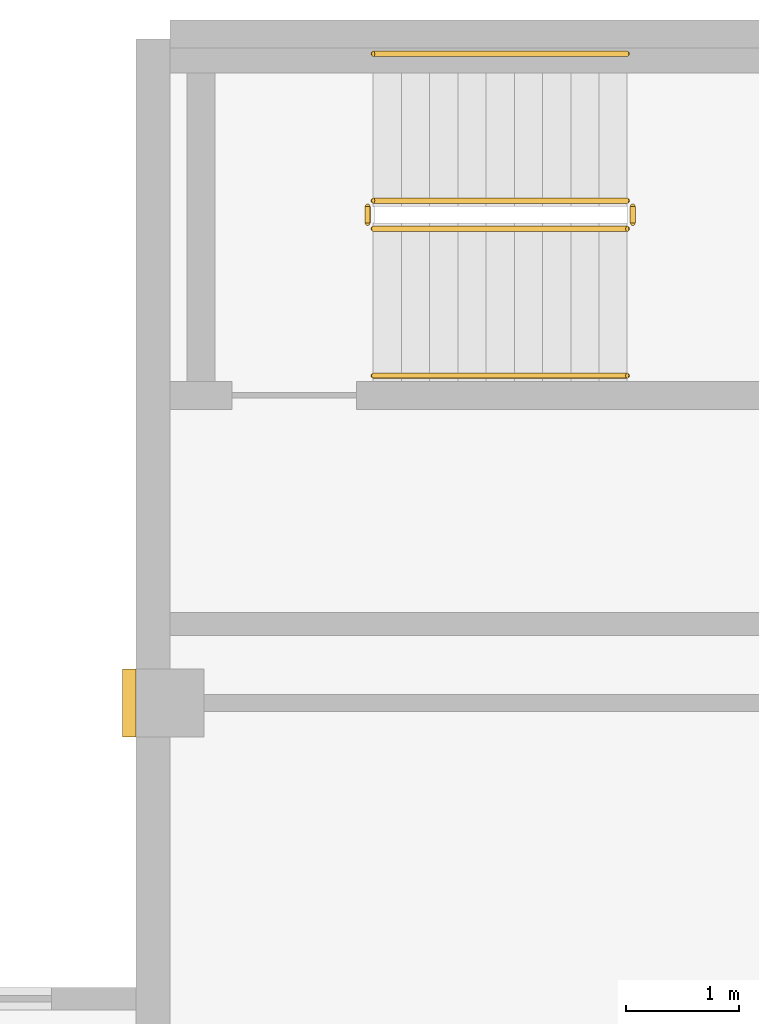
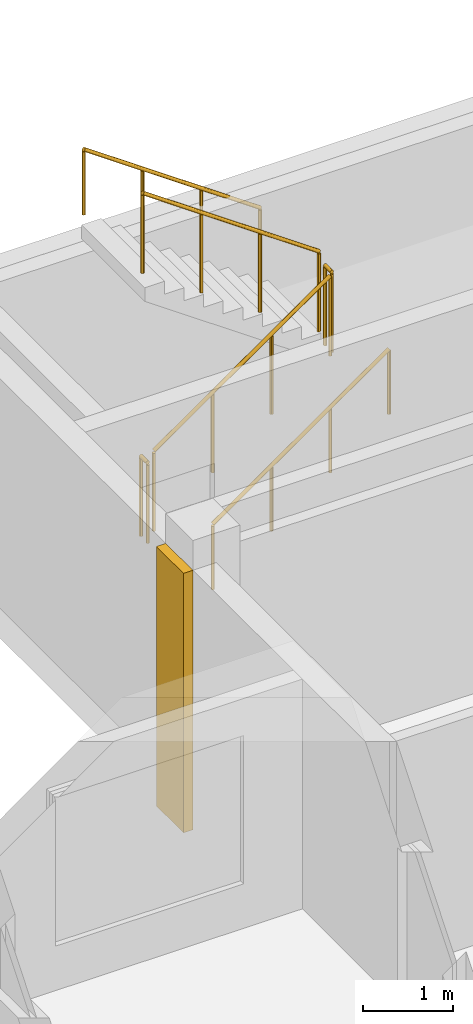
# One storey, part 9 of 9: 6 railings, 1 covering.
"""IFC4 building model written with IfcOpenShell, lengths in metres."""

from ifc_helpers import new_model, si_unit, direction, frame, origin, origin_2d, place, context, subcontext, project, spatial, rectangle, circle, extrude, source, transform, mapped, material, type_object, element, save


model = new_model("IFC4")

# Units and contexts
model_context = context("Model", 3, precision=1e-05, world=origin(), true_north=direction((0.0, 1.0)))
body_context = subcontext(model_context, "Body", "Model", "MODEL_VIEW")
ifc_project = project(units=[si_unit("LENGTHUNIT", "METRE"), si_unit("AREAUNIT", "SQUARE_METRE"), si_unit("VOLUMEUNIT", "CUBIC_METRE"), si_unit("PLANEANGLEUNIT", "RADIAN"), si_unit("MASSUNIT", "GRAM", prefix="KILO")], contexts=[model_context])

# Site, building, storey
site_placement = place(None, origin())
site = spatial("IfcSite", under=ifc_project, at=site_placement, CompositionType="ELEMENT")
building_placement = place(site_placement, origin())
building = spatial("IfcBuilding", under=site, at=building_placement, Name="Aurelian Terraces", CompositionType="ELEMENT")
storey_placement = place(building_placement, frame((0.0, 0.0, 351.0)))
storey = spatial("IfcBuildingStorey", under=building, at=storey_placement, Name="L83", CompositionType="ELEMENT", Elevation=351.0)

# Covering
ifc_material_1 = material(Name="Terracotta rainscreen cladding relief", Category="masonry")
covering_type = type_object("IfcCoveringType", Name="BAGUETTE-TC", PredefinedType="CLADDING", material=ifc_material_1)
shared_shape_1 = source(origin(), body_context, "Body", "SweptSolid", [
    extrude(rectangle(XDim=0.12, YDim=0.6, at=origin_2d()), origin(), (0.0, 0.0, 1.0), 3.5),
])
covering_placement = place(storey_placement, frame((10.44, 37.8, -0.4), z_axis=(0.0, 0.0, 1.0), x_axis=(1.0, 0.0, 0.0)))
element("IfcCovering", 1, at=covering_placement, inside=storey, type_object=covering_type, Name="BAGUETTE pier L83 3", PredefinedType="CLADDING", context=body_context, shape_type="MappedRepresentation", body=[
    mapped(shared_shape_1, transform((0.0, 0.0, 0.0), scale=1.0)),
])

# Railings
ifc_material_2 = material(Name="Stainless steel", Category="steel")
railing_type_1 = type_object("IfcRailingType", Name="Stair guard 1100", PredefinedType="GUARDRAIL", material=ifc_material_2)
shared_shape_2 = source(origin(), body_context, "Body", "SweptSolid", [
    extrude(circle(Radius=0.024, at=origin_2d()), frame((0.0, 0.0, 1.076), z_axis=(0.0, 1.0, 0.0), x_axis=(-1.0, 0.0, 0.0)), (0.0, 0.0, 1.0), 0.15),
    extrude(circle(Radius=0.021, at=origin_2d()), origin(), (0.0, 0.0, 1.0), 1.052),
    extrude(circle(Radius=0.021, at=origin_2d()), frame((0.0, 0.15, 0.0)), (0.0, 0.0, 1.0), 1.052),
])
for number, where, name in (
    (2, (14.9, 42.05, 1.75), "L83 S3U stair guard 2"),
    (3, (12.55, 42.05, 0.0), "L83 S3U stair guard 4"),
):
    element("IfcRailing", number, at=place(storey_placement, frame(where)), inside=storey, type_object=railing_type_1, Name=name, PredefinedType="GUARDRAIL", context=body_context, shape_type="MappedRepresentation", body=[
        mapped(shared_shape_2, transform((0.0, 0.0, 0.0), scale=1.0)),
    ])
shared_shape_3 = source(origin(), body_context, "Body", "SweptSolid", [
    extrude(circle(Radius=0.024, at=origin_2d()), frame((0.0, 0.0, 1.076), z_axis=(0.819231920519, 0.0, 0.573462344363), x_axis=(0.0, 1.0, 0.0)), (0.0, 0.0, 1.0), 2.7465),
    extrude(circle(Radius=0.021, at=origin_2d()), origin(), (0.0, 0.0, 1.0), 1.052),
    extrude(circle(Radius=0.021, at=origin_2d()), frame((0.75, 0.0, 0.525)), (0.0, 0.0, 1.0), 1.052),
    extrude(circle(Radius=0.021, at=origin_2d()), frame((1.5, 0.0, 1.05)), (0.0, 0.0, 1.0), 1.052),
    extrude(circle(Radius=0.021, at=origin_2d()), frame((2.25, 0.0, 1.575)), (0.0, 0.0, 1.0), 1.052),
])
railing_1_placement = place(storey_placement, frame((12.6, 42.0, 0.175)))
element("IfcRailing", 4, at=railing_1_placement, inside=storey, type_object=railing_type_1, Name="L83 S3U stair guard 1", PredefinedType="GUARDRAIL", context=body_context, shape_type="MappedRepresentation", body=[
    mapped(shared_shape_3, transform((0.0, 0.0, 0.0), scale=1.0)),
])
shared_shape_4 = source(origin(), body_context, "Body", "SweptSolid", [
    extrude(circle(Radius=0.024, at=origin_2d()), frame((0.0, 0.0, 1.076), z_axis=(-0.819231920519, 0.0, 0.573462344363), x_axis=(0.0, -1.0, 0.0)), (0.0, 0.0, 1.0), 2.7465),
    extrude(circle(Radius=0.021, at=origin_2d()), origin(), (0.0, 0.0, 1.0), 1.052),
    extrude(circle(Radius=0.021, at=origin_2d()), frame((-0.75, 0.0, 0.525)), (0.0, 0.0, 1.0), 1.052),
    extrude(circle(Radius=0.021, at=origin_2d()), frame((-1.5, 0.0, 1.05)), (0.0, 0.0, 1.0), 1.052),
    extrude(circle(Radius=0.021, at=origin_2d()), frame((-2.25, 0.0, 1.575)), (0.0, 0.0, 1.0), 1.052),
])
railing_2_placement = place(storey_placement, frame((14.85, 42.25, 1.925)))
element("IfcRailing", 5, at=railing_2_placement, inside=storey, type_object=railing_type_1, Name="L83 S3U stair guard 3", PredefinedType="GUARDRAIL", context=body_context, shape_type="MappedRepresentation", body=[
    mapped(shared_shape_4, transform((0.0, 0.0, 0.0), scale=1.0)),
])
railing_type_2 = type_object("IfcRailingType", Name="Stair handrail", PredefinedType="HANDRAIL", material=ifc_material_2)
shared_shape_5 = source(origin(), body_context, "Body", "SweptSolid", [
    extrude(circle(Radius=0.024, at=origin_2d()), frame((0.0, 0.0, 0.876), z_axis=(0.819231920519, 0.0, 0.573462344363), x_axis=(0.0, 1.0, 0.0)), (0.0, 0.0, 1.0), 2.7465),
    extrude(circle(Radius=0.021, at=origin_2d()), origin(), (0.0, 0.0, 1.0), 0.852),
    extrude(circle(Radius=0.021, at=origin_2d()), frame((0.75, 0.0, 0.525)), (0.0, 0.0, 1.0), 0.852),
    extrude(circle(Radius=0.021, at=origin_2d()), frame((1.5, 0.0, 1.05)), (0.0, 0.0, 1.0), 0.852),
    extrude(circle(Radius=0.021, at=origin_2d()), frame((2.25, 0.0, 1.575)), (0.0, 0.0, 1.0), 0.852),
])
railing_3_placement = place(storey_placement, frame((12.6, 40.7, 0.175)))
element("IfcRailing", 6, at=railing_3_placement, inside=storey, type_object=railing_type_2, Name="L83 S3U stair handrail 1", PredefinedType="HANDRAIL", context=body_context, shape_type="MappedRepresentation", body=[
    mapped(shared_shape_5, transform((0.0, 0.0, 0.0), scale=1.0)),
])
shared_shape_6 = source(origin(), body_context, "Body", "SweptSolid", [
    extrude(circle(Radius=0.024, at=origin_2d()), frame((0.0, 0.0, 0.876), z_axis=(-0.819231920519, 0.0, 0.573462344363), x_axis=(0.0, -1.0, 0.0)), (0.0, 0.0, 1.0), 2.7465),
    extrude(circle(Radius=0.021, at=origin_2d()), origin(), (0.0, 0.0, 1.0), 0.852),
    extrude(circle(Radius=0.021, at=origin_2d()), frame((-0.75, 0.0, 0.525)), (0.0, 0.0, 1.0), 0.852),
    extrude(circle(Radius=0.021, at=origin_2d()), frame((-1.5, 0.0, 1.05)), (0.0, 0.0, 1.0), 0.852),
    extrude(circle(Radius=0.021, at=origin_2d()), frame((-2.25, 0.0, 1.575)), (0.0, 0.0, 1.0), 0.852),
])
railing_4_placement = place(storey_placement, frame((14.85, 43.55, 1.925)))
element("IfcRailing", 7, at=railing_4_placement, inside=storey, type_object=railing_type_2, Name="L83 S3U stair handrail 2", PredefinedType="HANDRAIL", context=body_context, shape_type="MappedRepresentation", body=[
    mapped(shared_shape_6, transform((0.0, 0.0, 0.0), scale=1.0)),
])

save(model, "model.ifc")
